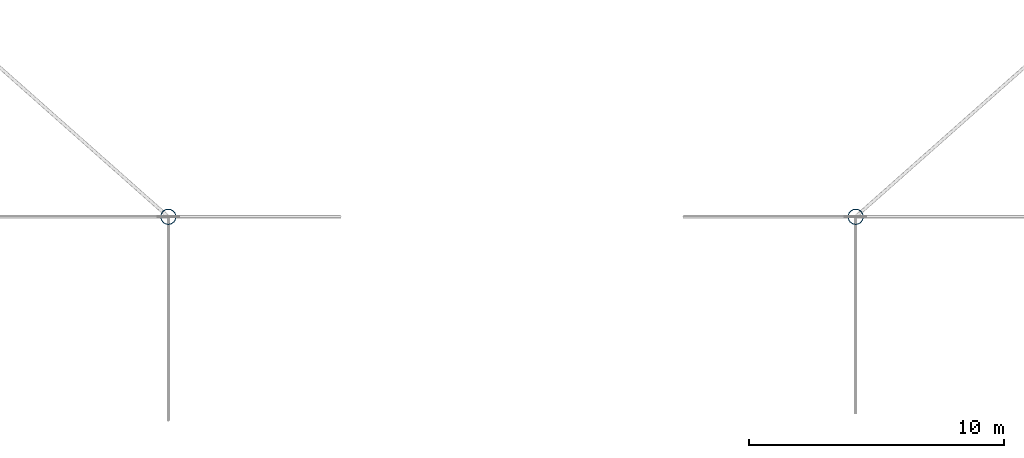
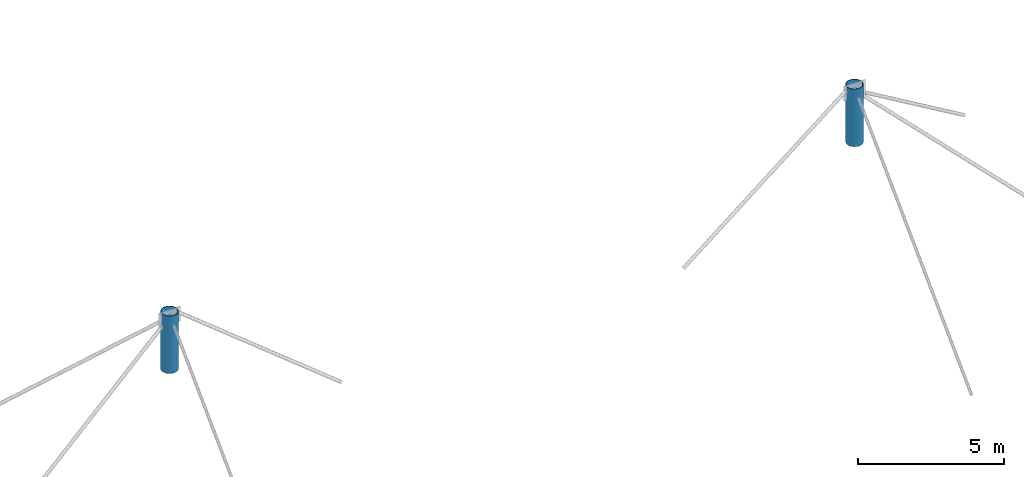
# One storey, part 4 of 58: 2 columns.
"""IFC4 building model written with IfcOpenShell, lengths in metres."""

from ifc_helpers import new_model, si_unit, derived_unit, direction, frame, origin, origin_2d, place, context, subcontext, project, spatial, hollow_circle, extrude, material, material_profile, profile_set, type_object, element, save


model = new_model("IFC4")

# Units and contexts
model_context = context("Model", 3, precision=1e-05, world=origin(), true_north=direction((0.0, 1.0)))
body_context = subcontext(model_context, "Body", "Model", "MODEL_VIEW")
ifc_project = project(units=[si_unit("LENGTHUNIT", "METRE"), si_unit("AREAUNIT", "SQUARE_METRE"), si_unit("VOLUMEUNIT", "CUBIC_METRE"), si_unit("PLANEANGLEUNIT", "RADIAN"), si_unit("MASSUNIT", "GRAM", prefix="KILO"), derived_unit("THERMALTRANSMITTANCEUNIT", [(si_unit("MASSUNIT", "GRAM", prefix="KILO"), 1), (si_unit("TIMEUNIT", "SECOND"), -3), (si_unit("THERMODYNAMICTEMPERATUREUNIT", "KELVIN"), -1)])], contexts=[model_context])

# Site, building, storey
site_placement = place(None, origin())
site = spatial("IfcSite", under=ifc_project, at=site_placement, CompositionType="ELEMENT")
building_placement = place(site_placement, origin())
building = spatial("IfcBuilding", under=site, at=building_placement, Name="Zhenchuan Archway Interchange", CompositionType="ELEMENT")
storey_placement = place(building_placement, frame((0.0, 0.0, 22.800048828125)))
storey = spatial("IfcBuildingStorey", under=building, at=storey_placement, Name="L05", CompositionType="ELEMENT", Elevation=22.800048828125)

# Columns
ifc_material = material(Name="Steel Q390", Category="steel")
ifc_material_profile = material_profile(ifc_material, hollow_circle(Radius=0.304931640625, WallThickness=0.02001953125, at=origin_2d()), Name="CHS 610x20")
ifc_profile_set = profile_set([ifc_material_profile], Name="Steel Q390")
column_type = type_object("IfcColumnType", Name="COL_STL_CHS610", PredefinedType="COLUMN", material=ifc_profile_set)
for number, where, z_axis, x_axis, name in (
    (1, (36.0, 80.0, 0.0), (0.0, 0.0, 1.0), (1.0, 0.0, 0.0), "Column 5/L (L05)"),
    (2, (63.0, 80.0, 0.0), (0.0, 0.0, 1.0), (1.0, 0.0, 0.0), "Column 8/L (L05)"),
):
    element("IfcColumn", number, at=place(storey_placement, frame(where, z_axis=z_axis, x_axis=x_axis)), inside=storey, type_object=column_type, Name=name, PredefinedType="COLUMN", context=body_context, shape_type="SweptSolid", body=[
        extrude(hollow_circle(Radius=0.304931640625, WallThickness=0.02001953125, at=origin_2d()), origin(), (0.0, 0.0, 1.0), 2.39990234375),
    ])

save(model, "model.ifc")
